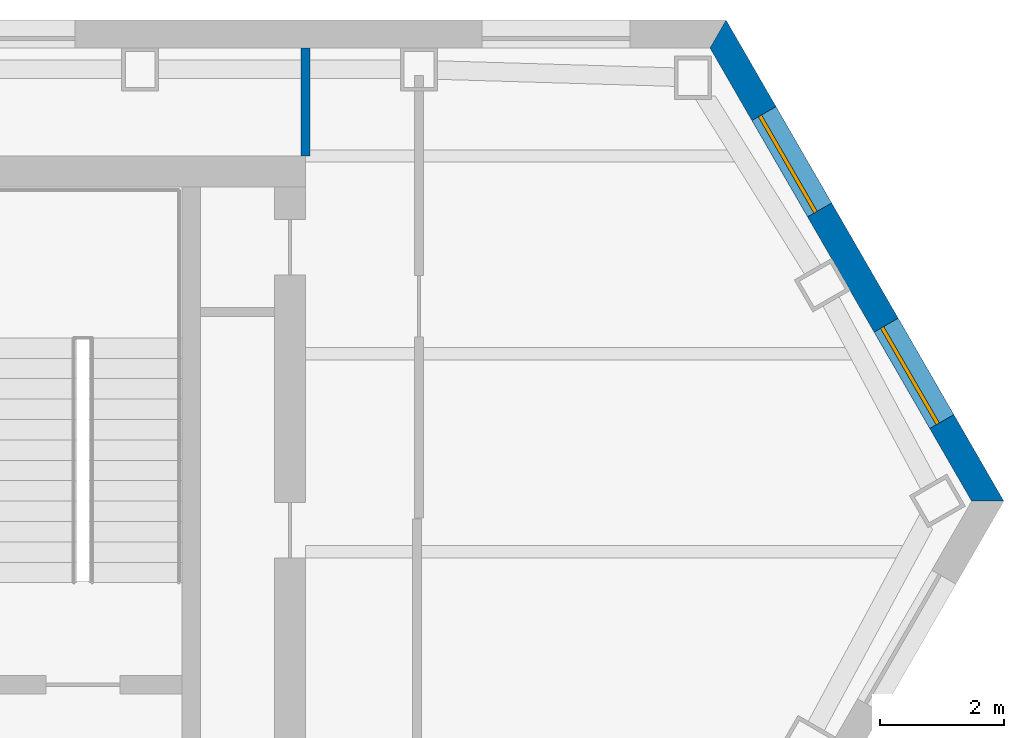
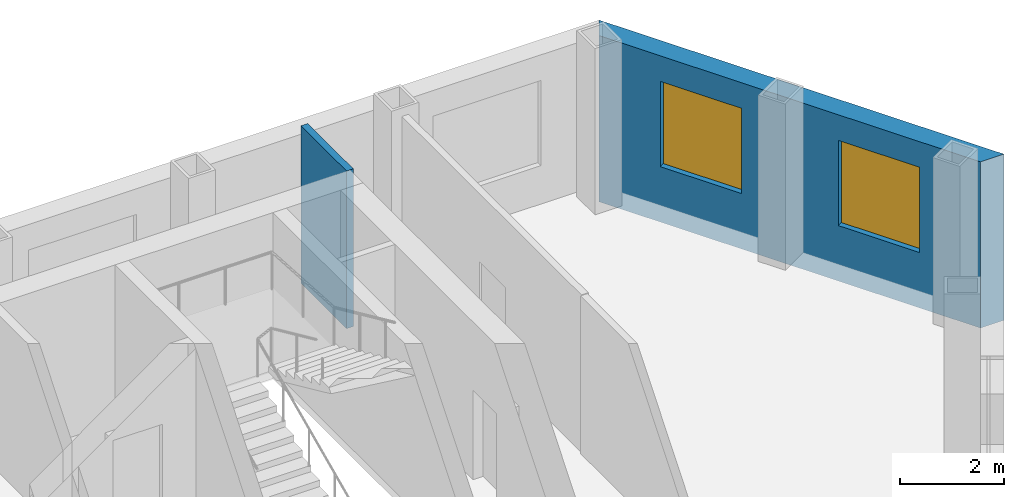
# One storey, part 8 of 11: 2 walls, 2 windows, 2 openings.
"""IFC4 building model written with IfcOpenShell, lengths in metres."""

from ifc_helpers import new_model, si_unit, direction, frame, frame_2d, origin, place, context, subcontext, project, spatial, polyline, rectangle, outline, extrude, material, layer, layer_set, type_object, element, fill, save


model = new_model("IFC4")

# Units and contexts
model_context = context("Model", 3, precision=1e-05, world=origin(), true_north=direction((0.0, 1.0)))
body_context = subcontext(model_context, "Body", "Model", "MODEL_VIEW")
ifc_project = project(units=[si_unit("LENGTHUNIT", "METRE"), si_unit("AREAUNIT", "SQUARE_METRE"), si_unit("VOLUMEUNIT", "CUBIC_METRE"), si_unit("PLANEANGLEUNIT", "RADIAN"), si_unit("MASSUNIT", "GRAM", prefix="KILO")], contexts=[model_context])

# Site, building, storey
site_placement = place(None, origin())
site = spatial("IfcSite", under=ifc_project, at=site_placement, CompositionType="ELEMENT")
building_placement = place(site_placement, origin())
building = spatial("IfcBuilding", under=site, at=building_placement, Name="Njiva Tower", CompositionType="ELEMENT")
storey_placement = place(building_placement, frame((0.0, 0.0, 143.7)))
storey = spatial("IfcBuildingStorey", under=building, at=storey_placement, Name="L30", CompositionType="ELEMENT", Elevation=143.7)

# Wall
ifc_material_1 = material(Name="Gypsum board on steel studs", Category="gypsum")
ifc_layer_1 = layer(ifc_material_1, 0.15)
ifc_layer_set_1 = layer_set([ifc_layer_1], Name="Gypsum board on steel studs")
wall_type_1 = type_object("IfcWallType", Name="WT21 Compartment wall 150", PredefinedType="PARTITIONING", material=ifc_layer_set_1)
wall_1_placement = place(storey_placement, frame((16.2, 18.0, 0.0), z_axis=(0.0, 0.0, 1.0), x_axis=(0.0, 1.0, 0.0)))
element("IfcWall", 1, at=wall_1_placement, inside=storey, type_object=wall_type_1, Name="Partition S10-P026", PredefinedType="PARTITIONING", context=body_context, shape_type="SweptSolid", body=[
    extrude(rectangle(XDim=1.75, YDim=0.15, at=frame_2d((0.875, 0.0))), origin(), (0.0, 0.0, 1.0), 3.7),
])

# Wall, openings, windows
ifc_material_2 = material(Name="Brick masonry, buff", Category="masonry")
ifc_layer_2 = layer(ifc_material_2, 0.45)
ifc_layer_set_2 = layer_set([ifc_layer_2], Name="Brick masonry, buff")
wall_type_2 = type_object("IfcWallType", Name="WT94 Brick pier and spandrel wall 450, buff", PredefinedType="SOLIDWALL", material=ifc_layer_set_2)
wall_2_placement = place(storey_placement, frame((27.2314, 12.4209, -0.4), z_axis=(0.0, 0.0, 1.0), x_axis=(-0.500000731243, 0.866024981601, 0.0)))
wall_2 = element("IfcWall", 2, at=wall_2_placement, inside=storey, type_object=wall_type_2, Name="Facade wall NE", PredefinedType="SOLIDWALL", context=body_context, shape_type="SweptSolid", body=[
    extrude(outline(polyline([(-0.1299, -0.225), (8.8501, -0.225), (8.5903, 0.225), (0.1299, 0.225), (-0.1299, -0.225)])), origin(), (0.0, 0.0, 1.0), 3.9),
])
opening_1_placement = place(wall_2_placement, frame((1.4844, 0.0, 1.3)))
opening_1 = element("IfcOpeningElement", 3, at=opening_1_placement, cuts=wall_2, Name="Opening S10-W32", PredefinedType="OPENING", context=body_context, shape_type="SweptSolid", body=[
    extrude(rectangle(XDim=1.8, YDim=2.0, at=frame_2d((0.9, 1.0))), frame((0.0, 0.235, 0.0), z_axis=(0.0, -1.0, 0.0), x_axis=(1.0, 0.0, 0.0)), (0.0, 0.0, 1.0), 0.47),
])
opening_2_placement = place(wall_2_placement, frame((5.4357, 0.0, 1.3)))
opening_2 = element("IfcOpeningElement", 4, at=opening_2_placement, cuts=wall_2, Name="Opening S10-W33", PredefinedType="OPENING", context=body_context, shape_type="SweptSolid", body=[
    extrude(rectangle(XDim=1.8, YDim=2.0, at=frame_2d((0.9, 1.0))), frame((0.0, 0.235, 0.0), z_axis=(0.0, -1.0, 0.0), x_axis=(1.0, 0.0, 0.0)), (0.0, 0.0, 1.0), 0.47),
])
ifc_material_3 = material(Name="Clear glazing in aluminium frame", Category="aluminium")
window_type = type_object("IfcWindowType", Name="W94 Deep-set window 1800x2000", PartitioningType="SINGLE_PANEL", PredefinedType="WINDOW", material=ifc_material_3)
window_1_placement = place(opening_1_placement, origin())
window_1 = element("IfcWindow", 5, at=window_1_placement, inside=storey, type_object=window_type, Name="Window", OverallHeight=2.0, OverallWidth=1.8, PartitioningType="SINGLE_PANEL", PredefinedType="WINDOW", context=body_context, shape_type="SweptSolid", body=[
    extrude(rectangle(XDim=1.8, YDim=2.0, at=frame_2d((0.9, 1.0))), frame((0.0, 0.105, 0.0), z_axis=(0.0, -1.0, 0.0), x_axis=(1.0, 0.0, 0.0)), (0.0, 0.0, 1.0), 0.06),
])
fill(opening_1, window_1)
window_2_placement = place(opening_2_placement, origin())
window_2 = element("IfcWindow", 6, at=window_2_placement, inside=storey, type_object=window_type, Name="Window", OverallHeight=2.0, OverallWidth=1.8, PartitioningType="SINGLE_PANEL", PredefinedType="WINDOW", context=body_context, shape_type="SweptSolid", body=[
    extrude(rectangle(XDim=1.8, YDim=2.0, at=frame_2d((0.9, 1.0))), frame((0.0, 0.105, 0.0), z_axis=(0.0, -1.0, 0.0), x_axis=(1.0, 0.0, 0.0)), (0.0, 0.0, 1.0), 0.06),
])
fill(opening_2, window_2)

save(model, "model.ifc")
